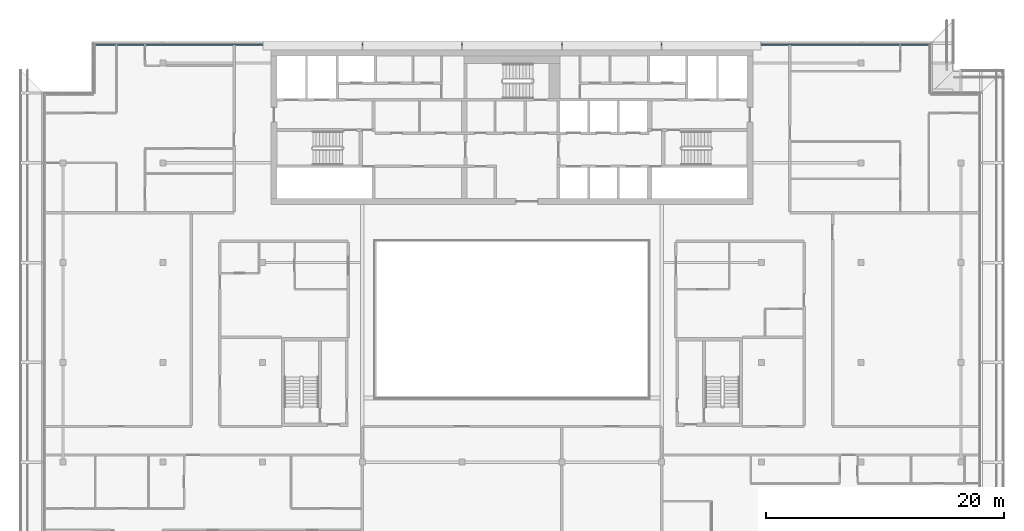
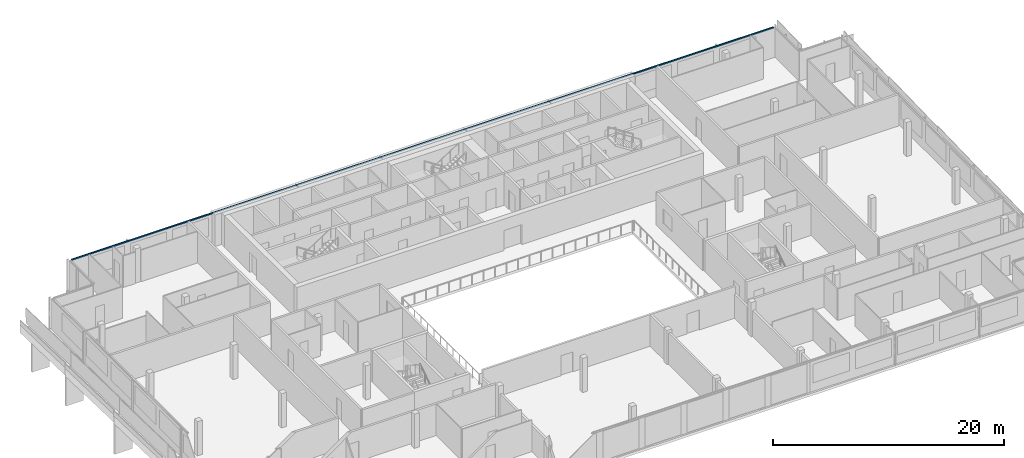
# One storey, part 8 of 27: 1 member, 1 element without a shape of its own.
"""IFC4 building model written with IfcOpenShell, lengths in metres."""

from ifc_helpers import new_model, si_unit, direction, frame, origin, origin_2d, place, context, subcontext, project, spatial, rectangle, extrude, material, material_profile, profile_set, type_object, element, aggregate, save


model = new_model("IFC4")

# Units and contexts
model_context = context("Model", 3, precision=1e-05, world=origin(), true_north=direction((0.0, 1.0)))
body_context = subcontext(model_context, "Body", "Model", "MODEL_VIEW")
ifc_project = project(units=[si_unit("LENGTHUNIT", "METRE"), si_unit("AREAUNIT", "SQUARE_METRE"), si_unit("VOLUMEUNIT", "CUBIC_METRE"), si_unit("PLANEANGLEUNIT", "RADIAN"), si_unit("MASSUNIT", "GRAM", prefix="KILO")], contexts=[model_context])

# Site, building, storey
site_placement = place(None, origin())
site = spatial("IfcSite", under=ifc_project, at=site_placement, CompositionType="ELEMENT")
building_placement = place(site_placement, origin())
building = spatial("IfcBuilding", under=site, at=building_placement, Name="Saffron Gate Tower", CompositionType="ELEMENT")
storey_placement = place(building_placement, frame((0.0, 0.0, 267.14990234375)))
storey = spatial("IfcBuildingStorey", under=building, at=storey_placement, Name="L64", CompositionType="ELEMENT", Elevation=267.14990234375)

# Curtain wall, member
ifc_material = material(Name="Aluminium, bronze anodised", Category="aluminium")
curtain_wall_type = type_object("IfcCurtainWallType", Name="CWS3 curtain wall rear facade", PredefinedType="NOTDEFINED", material=ifc_material)
curtain_wall_placement = place(storey_placement, origin())
curtain_wall = element("IfcCurtainWall", 1, at=curtain_wall_placement, inside=storey, type_object=curtain_wall_type, Name="CWS3 run 7", PredefinedType="NOTDEFINED")
ifc_material_profile = material_profile(ifc_material, rectangle(XDim=0.1201171875, YDim=0.1201171875, at=origin_2d()))
ifc_profile_set = profile_set([ifc_material_profile], Name="Aluminium, bronze anodised")
member_type = type_object("IfcMemberType", Name="CWS3 head transom", PredefinedType="USERDEFINED", material=ifc_profile_set)
member_placement = place(storey_placement, frame((122.632080078125, 75.35205078125, 3.260009765625), z_axis=(-1.0, 0.0, 0.0), x_axis=(0.0, -1.0, 0.0)))
member = element("IfcMember", 2, at=member_placement, type_object=member_type, Name="CWS3 head transom", ObjectType="TRANSOM", PredefinedType="USERDEFINED", context=body_context, shape_type="SweptSolid", body=[
    extrude(rectangle(XDim=0.1201171875, YDim=0.1201171875, at=origin_2d()), origin(), (0.0, 0.0, 1.0), 70.06396484375),
])
aggregate(curtain_wall, [member])

save(model, "model.ifc")
